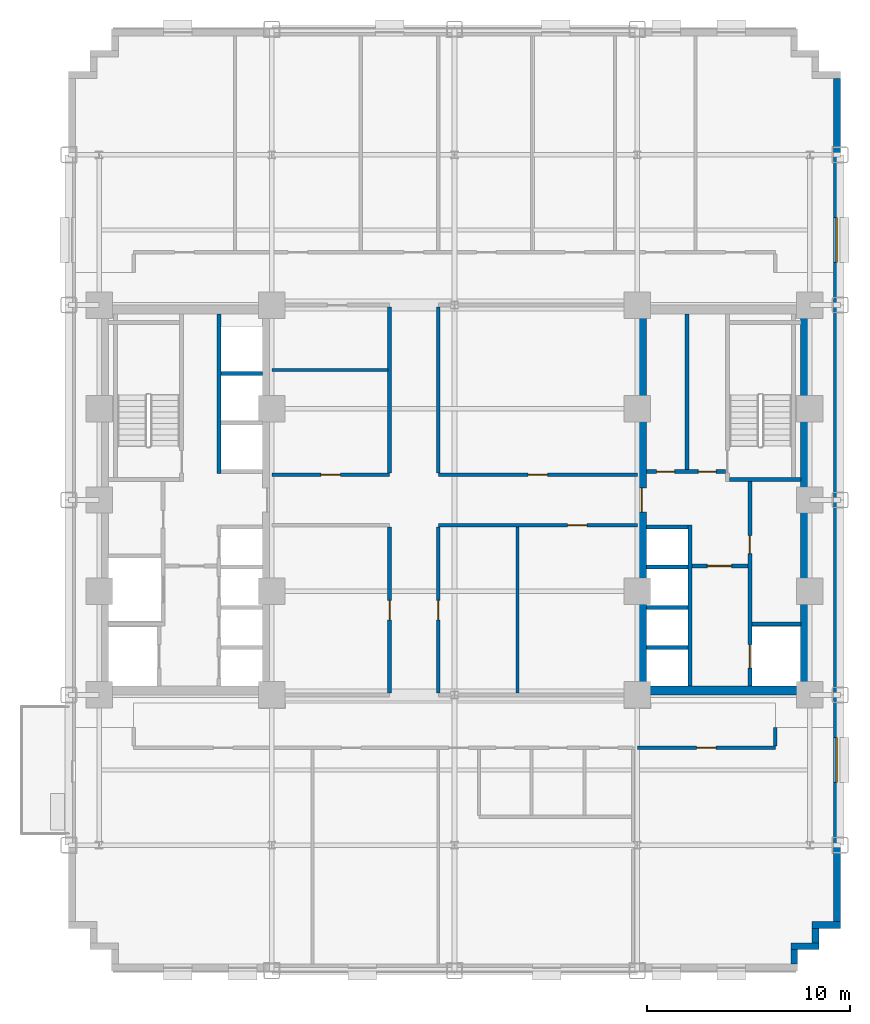
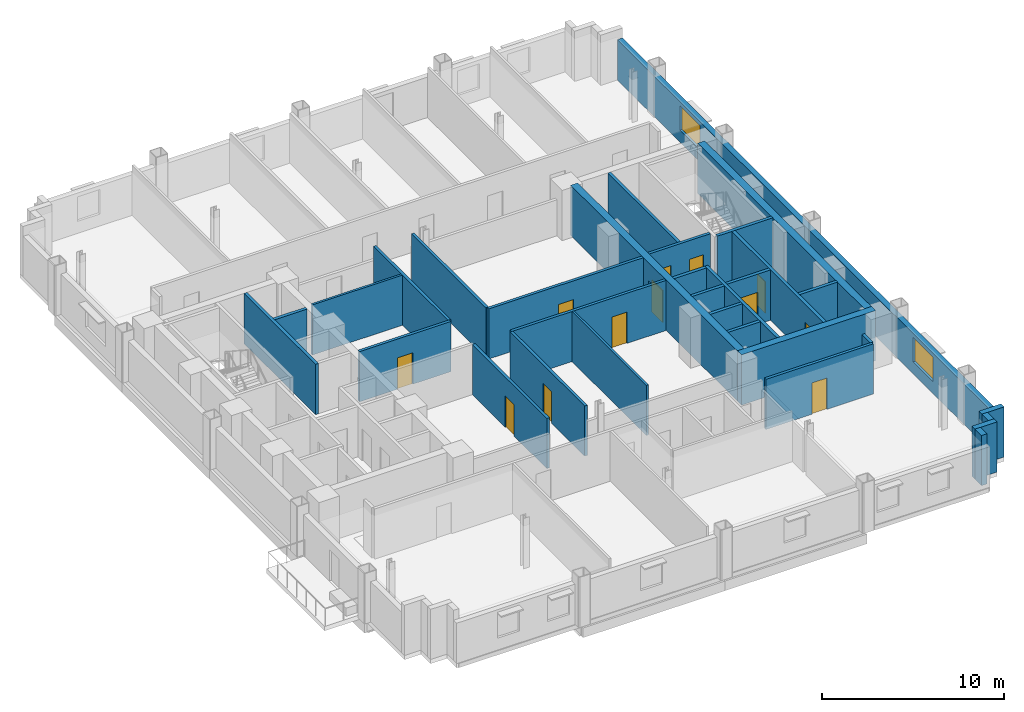
# One storey, part 6 of 12: 32 walls, 12 doors, 2 windows, 14 openings.
"""IFC4 building model written with IfcOpenShell, lengths in metres."""

from ifc_helpers import new_model, si_unit, direction, frame, frame_2d, origin, place, context, subcontext, project, spatial, rectangle, extrude, source, transform, mapped, material, layer, layer_set, type_object, type_shapes, element, fill, save


model = new_model("IFC4")

# Units and contexts
model_context = context("Model", 3, precision=1e-05, world=origin(), true_north=direction((0.0, 1.0)))
body_context = subcontext(model_context, "Body", "Model", "MODEL_VIEW")
ifc_project = project(units=[si_unit("LENGTHUNIT", "METRE"), si_unit("AREAUNIT", "SQUARE_METRE"), si_unit("VOLUMEUNIT", "CUBIC_METRE"), si_unit("PLANEANGLEUNIT", "RADIAN"), si_unit("MASSUNIT", "GRAM", prefix="KILO")], contexts=[model_context])

# Site, building, storey
site_placement = place(None, origin())
site = spatial("IfcSite", under=ifc_project, at=site_placement, CompositionType="ELEMENT")
building_placement = place(site_placement, origin())
building = spatial("IfcBuilding", under=site, at=building_placement, Name="Nuvemarco Arch Tower", CompositionType="ELEMENT")
storey_placement = place(building_placement, frame((0.0, 0.0, 31.25)))
storey = spatial("IfcBuildingStorey", under=building, at=storey_placement, Name="L07", CompositionType="ELEMENT", Elevation=31.25)

# Walls
ifc_material_1 = material(Name="Precast concrete C45/55", Category="concrete")
ifc_layer_1 = layer(ifc_material_1, 0.340087890625, Name="EW-LOW-340")
ifc_layer_set_1 = layer_set([ifc_layer_1], Name="Precast concrete C45/55")
wall_type_1 = type_object("IfcWallType", Name="EW-LOW-340", PredefinedType="STANDARD", material=ifc_layer_set_1)
wall_1_placement = place(storey_placement, frame((16.72998046875, -22.864013671875, 0.0), z_axis=(0.0, 0.0, 1.0), x_axis=(0.0, 1.0, 0.0)))
element("IfcWall", 1, at=wall_1_placement, inside=storey, type_object=wall_type_1, Name="L07 exterior precast facade wall 2", PredefinedType="STANDARD", context=body_context, shape_type="SweptSolid", body=[
    extrude(rectangle(XDim=0.718017578125, YDim=0.340087890625, at=frame_2d((0.35888671875, 0.0))), origin(), (0.0, 0.0, 1.0), 3.360107421875),
])
wall_2_placement = place(storey_placement, frame((16.56005859375, -21.97998046875, 0.0), z_axis=(0.0, 0.0, 1.0), x_axis=(1.0, 0.0, 0.0)))
element("IfcWall", 2, at=wall_2_placement, inside=storey, type_object=wall_type_1, Name="L07 exterior precast facade wall 3", PredefinedType="STANDARD", context=body_context, shape_type="SweptSolid", body=[
    extrude(rectangle(XDim=1.389892578125, YDim=0.340087890625, at=frame_2d((0.69482421875, 0.0))), origin(), (0.0, 0.0, 1.0), 3.360107421875),
])
wall_3_placement = place(storey_placement, frame((17.780029296875, -21.81396484375, 0.0), z_axis=(0.0, 0.0, 1.0), x_axis=(0.0, 1.0, 0.0)))
element("IfcWall", 3, at=wall_3_placement, inside=storey, type_object=wall_type_1, Name="L07 exterior precast facade wall 4", PredefinedType="STANDARD", context=body_context, shape_type="SweptSolid", body=[
    extrude(rectangle(XDim=0.718017578125, YDim=0.340087890625, at=frame_2d((0.35888671875, 0.0))), origin(), (0.0, 0.0, 1.0), 3.360107421875),
])
wall_4_placement = place(storey_placement, frame((17.610107421875, -20.929931640625, 0.0), z_axis=(0.0, 0.0, 1.0), x_axis=(1.0, 0.0, 0.0)))
element("IfcWall", 4, at=wall_4_placement, inside=storey, type_object=wall_type_1, Name="L07 exterior precast facade wall 5", PredefinedType="STANDARD", context=body_context, shape_type="SweptSolid", body=[
    extrude(rectangle(XDim=1.389892578125, YDim=0.340087890625, at=frame_2d((0.69482421875, 0.0))), origin(), (0.0, 0.0, 1.0), 3.360107421875),
])

# Wall, openings, windows
wall_5_placement = place(storey_placement, frame((18.830078125, -20.763916015625, 0.0), z_axis=(0.0, 0.0, 1.0), x_axis=(0.0, 1.0, 0.0)))
wall_5 = element("IfcWall", 5, at=wall_5_placement, inside=storey, type_object=wall_type_1, Name="L07 exterior precast facade wall 6", PredefinedType="STANDARD", context=body_context, shape_type="SweptSolid", body=[
    extrude(rectangle(XDim=41.52783203125, YDim=0.340087890625, at=frame_2d((20.763916015625, 0.0))), origin(), (0.0, 0.0, 1.0), 2.705078125),
])
opening_1_placement = place(wall_5_placement, frame((6.861572265625, 0.0, 0.800048828125)))
opening_1 = element("IfcOpeningElement", 6, at=opening_1_placement, cuts=wall_5, Name="Opening WN-3", PredefinedType="OPENING", context=body_context, shape_type="SweptSolid", body=[
    extrude(rectangle(XDim=2.199951171875, YDim=1.64990234375, at=frame_2d((1.10009765625, 0.824951171875))), frame((0.0, 0.179931640625, 0.0), z_axis=(0.0, -1.0, 0.0), x_axis=(1.0, 0.0, 0.0)), (0.0, 0.0, 1.0), 0.360107421875),
])
opening_2_placement = place(wall_5_placement, frame((32.466552734375, 0.0, 0.800048828125)))
opening_2 = element("IfcOpeningElement", 7, at=opening_2_placement, cuts=wall_5, Name="Opening WN-3", PredefinedType="OPENING", context=body_context, shape_type="SweptSolid", body=[
    extrude(rectangle(XDim=2.199951171875, YDim=1.64990234375, at=frame_2d((1.10009765625, 0.824951171875))), frame((0.0, 0.179931640625, 0.0), z_axis=(0.0, -1.0, 0.0), x_axis=(1.0, 0.0, 0.0)), (0.0, 0.0, 1.0), 0.360107421875),
])
ifc_material_2 = material(Name="Insulated solar-control glass", Category="glass")
window_type = type_object("IfcWindowType", Name="WN-LOW-2200x1650", PartitioningType="DOUBLE_PANEL_VERTICAL", PredefinedType="WINDOW", material=ifc_material_2)
shared_shape_1 = source(origin(), body_context, "Body", "SweptSolid", [
    extrude(rectangle(XDim=2.199951171875, YDim=1.64990234375, at=frame_2d((1.10009765625, 0.824951171875))), frame((0.0, 0.030029296875, 0.0), z_axis=(0.0, -1.0, 0.0), x_axis=(1.0, 0.0, 0.0)), (0.0, 0.0, 1.0), 0.06005859375),
])
type_shapes(window_type, [shared_shape_1])
window_1_placement = place(opening_1_placement, origin())
window_1 = element("IfcWindow", 8, at=window_1_placement, inside=storey, type_object=window_type, Name="L07 punched facade window 2", OverallHeight=1.64990234375, OverallWidth=2.199951171875, PartitioningType="SINGLE_PANEL", PredefinedType="WINDOW", context=body_context, shape_type="MappedRepresentation", body=[
    mapped(shared_shape_1, transform((0.0, 0.0, 0.0), scale=1.0)),
])
fill(opening_1, window_1)
window_2_placement = place(opening_2_placement, origin())
window_2 = element("IfcWindow", 9, at=window_2_placement, inside=storey, type_object=window_type, Name="L07 punched facade window 7", OverallHeight=1.64990234375, OverallWidth=2.199951171875, PartitioningType="SINGLE_PANEL", PredefinedType="WINDOW", context=body_context, shape_type="MappedRepresentation", body=[
    mapped(shared_shape_1, transform((0.0, 0.0, 0.0), scale=1.0)),
])
fill(opening_2, window_2)

# Wall
ifc_material_3 = material(Name="Concrete C60/75", Category="concrete")
ifc_layer_2 = layer(ifc_material_3, 0.449951171875, Name="WL-CORE-450")
ifc_layer_set_2 = layer_set([ifc_layer_2], Name="Concrete C60/75")
wall_type_2 = type_object("IfcWallType", Name="WL-CORE-450", PredefinedType="SHEAR", material=ifc_layer_set_2)
wall_6_placement = place(storey_placement, frame((9.0, -9.375, 0.0), z_axis=(0.0, 0.0, 1.0), x_axis=(1.0, 0.0, 0.0)))
element("IfcWall", 10, at=wall_6_placement, inside=storey, type_object=wall_type_2, Name="L07 E-core shear wall S", PredefinedType="SHEAR", context=body_context, shape_type="SweptSolid", body=[
    extrude(rectangle(XDim=8.5, YDim=0.449951171875, at=frame_2d((4.25, 0.0))), origin(), (0.0, 0.0, 1.0), 3.3701171875),
])

# Wall, opening, door
wall_7_placement = place(storey_placement, frame((9.22509765625, -9.155029296875, 0.0), z_axis=(0.0, 0.0, 1.0), x_axis=(0.0, 1.0, 0.0)))
wall_7 = element("IfcWall", 11, at=wall_7_placement, inside=storey, type_object=wall_type_2, Name="L07 E-core shear wall W", PredefinedType="SHEAR", context=body_context, shape_type="SweptSolid", body=[
    extrude(rectangle(XDim=18.31005859375, YDim=0.449951171875, at=frame_2d((9.155029296875, 0.0))), origin(), (0.0, 0.0, 1.0), 3.3701171875),
])
opening_3_placement = place(wall_7_placement, frame((8.554931640625, 0.0, 0.0)))
opening_3 = element("IfcOpeningElement", 12, at=opening_3_placement, cuts=wall_7, Name="Opening FD-2", PredefinedType="OPENING", context=body_context, shape_type="SweptSolid", body=[
    extrude(rectangle(XDim=1.199951171875, YDim=2.14990234375, at=frame_2d((0.60009765625, 1.074951171875))), frame((0.0, 0.23486328125, 0.0), z_axis=(0.0, -1.0, 0.0), x_axis=(1.0, 0.0, 0.0)), (0.0, 0.0, 1.0), 0.469970703125),
])
ifc_material_4 = material(Name="Anodised steel fire door", Category="steel")
door_type_1 = type_object("IfcDoorType", Name="DR-FFLOB-FD", OperationType="NOTDEFINED", PredefinedType="DOOR", material=ifc_material_4)
shared_shape_2 = source(origin(), body_context, "Body", "SweptSolid", [
    extrude(rectangle(XDim=1.199951171875, YDim=2.14990234375, at=frame_2d((0.60009765625, 1.074951171875))), frame((0.0, 0.02490234375, 0.0), z_axis=(0.0, -1.0, 0.0), x_axis=(1.0, 0.0, 0.0)), (0.0, 0.0, 1.0), 0.050048828125),
])
type_shapes(door_type_1, [shared_shape_2])
door_1_placement = place(opening_3_placement, origin())
door_1 = element("IfcDoor", 13, at=door_1_placement, inside=storey, type_object=door_type_1, Name="L07 door FD-L07-ECORE-W", OperationType="SINGLE_SWING_RIGHT", OverallHeight=2.14990234375, OverallWidth=1.199951171875, PredefinedType="DOOR", context=body_context, shape_type="MappedRepresentation", body=[
    mapped(shared_shape_2, transform((0.0, 0.0, 0.0), scale=1.0)),
])
fill(opening_3, door_1)

# Wall
wall_8_placement = place(storey_placement, frame((17.27490234375, -9.155029296875, 0.0), z_axis=(0.0, 0.0, 1.0), x_axis=(0.0, 1.0, 0.0)))
element("IfcWall", 14, at=wall_8_placement, inside=storey, type_object=wall_type_2, Name="L07 E-core shear wall E", PredefinedType="SHEAR", context=body_context, shape_type="SweptSolid", body=[
    extrude(rectangle(XDim=18.31005859375, YDim=0.449951171875, at=frame_2d((9.155029296875, 0.0))), origin(), (0.0, 0.0, 1.0), 3.3701171875),
])

# Wall, openings, doors
ifc_material_5 = material(Name="Fire-rated gypsum drywall partition")
ifc_layer_3 = layer(ifc_material_5, 0.179931640625, Name="WL-CORR-180")
ifc_layer_set_3 = layer_set([ifc_layer_3], Name="Fire-rated gypsum drywall partition")
wall_type_3 = type_object("IfcWallType", Name="WL-CORR-180", PredefinedType="PARTITIONING", material=ifc_layer_set_3)
wall_9_placement = place(storey_placement, frame((9.445068359375, 1.39990234375, 0.0), z_axis=(0.0, 0.0, 1.0), x_axis=(1.0, 0.0, 0.0)))
wall_9 = element("IfcWall", 15, at=wall_9_placement, inside=storey, type_object=wall_type_3, Name="L07 interior wall IW-L07-EK-S", PredefinedType="PARTITIONING", context=body_context, shape_type="SweptSolid", body=[
    extrude(rectangle(XDim=3.89990234375, YDim=0.179931640625, at=frame_2d((1.949951171875, 0.0))), origin(), (0.0, 0.0, 1.0), 3.360107421875),
])
opening_4_placement = place(wall_9_placement, frame((0.514892578125, 0.0, 0.0)))
opening_4 = element("IfcOpeningElement", 16, at=opening_4_placement, cuts=wall_9, Name="Opening FD-4", PredefinedType="OPENING", context=body_context, shape_type="SweptSolid", body=[
    extrude(rectangle(XDim=0.8798828125, YDim=2.10009765625, at=frame_2d((0.43994140625, 1.050048828125))), frame((0.0, 0.099853515625, 0.0), z_axis=(0.0, -1.0, 0.0), x_axis=(1.0, 0.0, 0.0)), (0.0, 0.0, 1.0), 0.199951171875),
])
opening_5_placement = place(wall_9_placement, frame((2.56494140625, 0.0, 0.0)))
opening_5 = element("IfcOpeningElement", 17, at=opening_5_placement, cuts=wall_9, Name="Opening FD-4", PredefinedType="OPENING", context=body_context, shape_type="SweptSolid", body=[
    extrude(rectangle(XDim=0.8798828125, YDim=2.10009765625, at=frame_2d((0.43994140625, 1.050048828125))), frame((0.0, 0.099853515625, 0.0), z_axis=(0.0, -1.0, 0.0), x_axis=(1.0, 0.0, 0.0)), (0.0, 0.0, 1.0), 0.199951171875),
])
door_type_2 = type_object("IfcDoorType", Name="DR-RISER-FD", OperationType="NOTDEFINED", PredefinedType="DOOR", material=ifc_material_4)
shared_shape_3 = source(origin(), body_context, "Body", "SweptSolid", [
    extrude(rectangle(XDim=0.8798828125, YDim=2.10009765625, at=frame_2d((0.43994140625, 1.050048828125))), frame((0.0, 0.02490234375, 0.0), z_axis=(0.0, -1.0, 0.0), x_axis=(1.0, 0.0, 0.0)), (0.0, 0.0, 1.0), 0.050048828125),
])
type_shapes(door_type_2, [shared_shape_3])
door_2_placement = place(opening_4_placement, origin())
door_2 = element("IfcDoor", 18, at=door_2_placement, inside=storey, type_object=door_type_2, Name="L07 door FD-L07-EK2A", OperationType="SINGLE_SWING_LEFT", OverallHeight=2.10009765625, OverallWidth=0.8798828125, PredefinedType="DOOR", context=body_context, shape_type="MappedRepresentation", body=[
    mapped(shared_shape_3, transform((0.0, 0.0, 0.0), scale=1.0)),
])
fill(opening_4, door_2)
door_3_placement = place(opening_5_placement, origin())
door_3 = element("IfcDoor", 19, at=door_3_placement, inside=storey, type_object=door_type_2, Name="L07 door FD-L07-EK2B", OperationType="SINGLE_SWING_RIGHT", OverallHeight=2.10009765625, OverallWidth=0.8798828125, PredefinedType="DOOR", context=body_context, shape_type="MappedRepresentation", body=[
    mapped(shared_shape_3, transform((0.0, 0.0, 0.0), scale=1.0)),
])
fill(opening_5, door_3)

# Wall
wall_10_placement = place(storey_placement, frame((11.449951171875, 1.489990234375, 0.0), z_axis=(0.0, 0.0, 1.0), x_axis=(0.0, 1.0, 0.0)))
element("IfcWall", 20, at=wall_10_placement, inside=storey, type_object=wall_type_3, Name="L07 interior wall IW-L07-EK2", PredefinedType="PARTITIONING", context=body_context, shape_type="SweptSolid", body=[
    extrude(rectangle(XDim=7.6650390625, YDim=0.179931640625, at=frame_2d((3.83251953125, 0.0))), origin(), (0.0, 0.0, 1.0), 3.360107421875),
])

# Wall, opening, door
wall_11_placement = place(storey_placement, frame((9.0, -12.199951171875, 0.0), z_axis=(0.0, 0.0, 1.0), x_axis=(1.0, 0.0, 0.0)))
wall_11 = element("IfcWall", 21, at=wall_11_placement, inside=storey, type_object=wall_type_3, Name="L07 interior wall IW-L07-003", PredefinedType="PARTITIONING", context=body_context, shape_type="SweptSolid", body=[
    extrude(rectangle(XDim=6.800048828125, YDim=0.179931640625, at=frame_2d((3.39990234375, 0.0))), origin(), (0.0, 0.0, 1.0), 3.360107421875),
])
opening_6_placement = place(wall_11_placement, frame((2.919921875, 0.0, 0.0)))
opening_6 = element("IfcOpeningElement", 22, at=opening_6_placement, cuts=wall_11, Name="Opening FD-5", PredefinedType="OPENING", context=body_context, shape_type="SweptSolid", body=[
    extrude(rectangle(XDim=0.9599609375, YDim=2.10009765625, at=frame_2d((0.47998046875, 1.050048828125))), frame((0.0, 0.099853515625, 0.0), z_axis=(0.0, -1.0, 0.0), x_axis=(1.0, 0.0, 0.0)), (0.0, 0.0, 1.0), 0.199951171875),
])
ifc_material_6 = material(Name="Timber fire door", Category="wood")
door_type_3 = type_object("IfcDoorType", Name="DR-CORR-FD", OperationType="NOTDEFINED", PredefinedType="DOOR", material=ifc_material_6)
shared_shape_4 = source(origin(), body_context, "Body", "SweptSolid", [
    extrude(rectangle(XDim=0.9599609375, YDim=2.10009765625, at=frame_2d((0.47998046875, 1.050048828125))), frame((0.0, 0.02490234375, 0.0), z_axis=(0.0, -1.0, 0.0), x_axis=(1.0, 0.0, 0.0)), (0.0, 0.0, 1.0), 0.050048828125),
])
type_shapes(door_type_3, [shared_shape_4])
door_4_placement = place(opening_6_placement, origin())
door_4 = element("IfcDoor", 23, at=door_4_placement, inside=storey, type_object=door_type_3, Name="L07 door DR-L07-S_4", OperationType="SINGLE_SWING_LEFT", OverallHeight=2.10009765625, OverallWidth=0.9599609375, PredefinedType="DOOR", context=body_context, shape_type="MappedRepresentation", body=[
    mapped(shared_shape_4, transform((0.0, 0.0, 0.0), scale=1.0)),
])
fill(opening_6, door_4)

wall_12_placement = place(storey_placement, frame((-0.800048828125, -1.25, 0.0), z_axis=(0.0, 0.0, 1.0), x_axis=(1.0, 0.0, 0.0)))
wall_12 = element("IfcWall", 24, at=wall_12_placement, inside=storey, type_object=wall_type_3, Name="L07 interior wall IW-L07-008", PredefinedType="PARTITIONING", context=body_context, shape_type="SweptSolid", body=[
    extrude(rectangle(XDim=9.800048828125, YDim=0.179931640625, at=frame_2d((4.89990234375, 0.0))), origin(), (0.0, 0.0, 1.0), 3.360107421875),
])
opening_7_placement = place(wall_12_placement, frame((6.3701171875, 0.0, 0.0)))
opening_7 = element("IfcOpeningElement", 25, at=opening_7_placement, cuts=wall_12, Name="Opening FD-5", PredefinedType="OPENING", context=body_context, shape_type="SweptSolid", body=[
    extrude(rectangle(XDim=0.9599609375, YDim=2.10009765625, at=frame_2d((0.47998046875, 1.050048828125))), frame((0.0, 0.099853515625, 0.0), z_axis=(0.0, -1.0, 0.0), x_axis=(1.0, 0.0, 0.0)), (0.0, 0.0, 1.0), 0.199951171875),
])
door_5_placement = place(opening_7_placement, origin())
door_5 = element("IfcDoor", 26, at=door_5_placement, inside=storey, type_object=door_type_3, Name="L07 door DR-L07-C_SE2", OperationType="SINGLE_SWING_LEFT", OverallHeight=2.10009765625, OverallWidth=0.9599609375, PredefinedType="DOOR", context=body_context, shape_type="MappedRepresentation", body=[
    mapped(shared_shape_4, transform((0.0, 0.0, 0.0), scale=1.0)),
])
fill(opening_7, door_5)

wall_13_placement = place(storey_placement, frame((-9.0, 1.25, 0.0), z_axis=(0.0, 0.0, 1.0), x_axis=(1.0, 0.0, 0.0)))
wall_13 = element("IfcWall", 27, at=wall_13_placement, inside=storey, type_object=wall_type_3, Name="L07 interior wall IW-L07-009", PredefinedType="PARTITIONING", context=body_context, shape_type="SweptSolid", body=[
    extrude(rectangle(XDim=5.800048828125, YDim=0.179931640625, at=frame_2d((2.89990234375, 0.0))), origin(), (0.0, 0.0, 1.0), 3.360107421875),
])
opening_8_placement = place(wall_13_placement, frame((2.419921875, 0.0, 0.0)))
opening_8 = element("IfcOpeningElement", 28, at=opening_8_placement, cuts=wall_13, Name="Opening FD-5", PredefinedType="OPENING", context=body_context, shape_type="SweptSolid", body=[
    extrude(rectangle(XDim=0.9599609375, YDim=2.10009765625, at=frame_2d((0.47998046875, 1.050048828125))), frame((0.0, 0.099853515625, 0.0), z_axis=(0.0, -1.0, 0.0), x_axis=(1.0, 0.0, 0.0)), (0.0, 0.0, 1.0), 0.199951171875),
])
door_6_placement = place(opening_8_placement, origin())
door_6 = element("IfcDoor", 29, at=door_6_placement, inside=storey, type_object=door_type_3, Name="L07 door DR-L07-C_NW1", OperationType="SINGLE_SWING_RIGHT", OverallHeight=2.10009765625, OverallWidth=0.9599609375, PredefinedType="DOOR", context=body_context, shape_type="MappedRepresentation", body=[
    mapped(shared_shape_4, transform((0.0, 0.0, 0.0), scale=1.0)),
])
fill(opening_8, door_6)

wall_14_placement = place(storey_placement, frame((-0.800048828125, 1.25, 0.0), z_axis=(0.0, 0.0, 1.0), x_axis=(1.0, 0.0, 0.0)))
wall_14 = element("IfcWall", 30, at=wall_14_placement, inside=storey, type_object=wall_type_3, Name="L07 interior wall IW-L07-010", PredefinedType="PARTITIONING", context=body_context, shape_type="SweptSolid", body=[
    extrude(rectangle(XDim=9.800048828125, YDim=0.179931640625, at=frame_2d((4.89990234375, 0.0))), origin(), (0.0, 0.0, 1.0), 3.360107421875),
])
opening_9_placement = place(wall_14_placement, frame((4.419921875, 0.0, 0.0)))
opening_9 = element("IfcOpeningElement", 31, at=opening_9_placement, cuts=wall_14, Name="Opening FD-5", PredefinedType="OPENING", context=body_context, shape_type="SweptSolid", body=[
    extrude(rectangle(XDim=0.9599609375, YDim=2.10009765625, at=frame_2d((0.47998046875, 1.050048828125))), frame((0.0, 0.099853515625, 0.0), z_axis=(0.0, -1.0, 0.0), x_axis=(1.0, 0.0, 0.0)), (0.0, 0.0, 1.0), 0.199951171875),
])
door_7_placement = place(opening_9_placement, origin())
door_7 = element("IfcDoor", 32, at=door_7_placement, inside=storey, type_object=door_type_3, Name="L07 door DR-L07-C_NE", OperationType="SINGLE_SWING_LEFT", OverallHeight=2.10009765625, OverallWidth=0.9599609375, PredefinedType="DOOR", context=body_context, shape_type="MappedRepresentation", body=[
    mapped(shared_shape_4, transform((0.0, 0.0, 0.0), scale=1.0)),
])
fill(opening_9, door_7)

wall_15_placement = place(storey_placement, frame((-3.199951171875, -9.513916015625, 0.0), z_axis=(0.0, 0.0, 1.0), x_axis=(0.0, 1.0, 0.0)))
wall_15 = element("IfcWall", 33, at=wall_15_placement, inside=storey, type_object=wall_type_3, Name="L07 interior wall IW-L07-021", PredefinedType="PARTITIONING", context=body_context, shape_type="SweptSolid", body=[
    extrude(rectangle(XDim=8.177978515625, YDim=0.179931640625, at=frame_2d((4.0888671875, 0.0))), origin(), (0.0, 0.0, 1.0), 3.360107421875),
])
opening_10_placement = place(wall_15_placement, frame((3.60888671875, 0.0, 0.0)))
opening_10 = element("IfcOpeningElement", 34, at=opening_10_placement, cuts=wall_15, Name="Opening FD-5", PredefinedType="OPENING", context=body_context, shape_type="SweptSolid", body=[
    extrude(rectangle(XDim=0.9599609375, YDim=2.10009765625, at=frame_2d((0.47998046875, 1.050048828125))), frame((0.0, 0.099853515625, 0.0), z_axis=(0.0, -1.0, 0.0), x_axis=(1.0, 0.0, 0.0)), (0.0, 0.0, 1.0), 0.199951171875),
])
door_8_placement = place(opening_10_placement, origin())
door_8 = element("IfcDoor", 35, at=door_8_placement, inside=storey, type_object=door_type_3, Name="L07 door DR-L07-C_SW", OperationType="SINGLE_SWING_LEFT", OverallHeight=2.10009765625, OverallWidth=0.9599609375, PredefinedType="DOOR", context=body_context, shape_type="MappedRepresentation", body=[
    mapped(shared_shape_4, transform((0.0, 0.0, 0.0), scale=1.0)),
])
fill(opening_10, door_8)

# Wall
wall_16_placement = place(storey_placement, frame((-3.199951171875, 1.3359375, 0.0), z_axis=(0.0, 0.0, 1.0), x_axis=(0.0, 1.0, 0.0)))
element("IfcWall", 36, at=wall_16_placement, inside=storey, type_object=wall_type_3, Name="L07 interior wall IW-L07-022", PredefinedType="PARTITIONING", context=body_context, shape_type="SweptSolid", body=[
    extrude(rectangle(XDim=8.177978515625, YDim=0.179931640625, at=frame_2d((4.0888671875, 0.0))), origin(), (0.0, 0.0, 1.0), 3.360107421875),
])

# Wall, opening, door
wall_17_placement = place(storey_placement, frame((-0.800048828125, -9.513916015625, 0.0), z_axis=(0.0, 0.0, 1.0), x_axis=(0.0, 1.0, 0.0)))
wall_17 = element("IfcWall", 37, at=wall_17_placement, inside=storey, type_object=wall_type_3, Name="L07 interior wall IW-L07-024", PredefinedType="PARTITIONING", context=body_context, shape_type="SweptSolid", body=[
    extrude(rectangle(XDim=8.177978515625, YDim=0.179931640625, at=frame_2d((4.0888671875, 0.0))), origin(), (0.0, 0.0, 1.0), 3.360107421875),
])
opening_11_placement = place(wall_17_placement, frame((3.60888671875, 0.0, 0.0)))
opening_11 = element("IfcOpeningElement", 38, at=opening_11_placement, cuts=wall_17, Name="Opening FD-5", PredefinedType="OPENING", context=body_context, shape_type="SweptSolid", body=[
    extrude(rectangle(XDim=0.9599609375, YDim=2.10009765625, at=frame_2d((0.47998046875, 1.050048828125))), frame((0.0, 0.099853515625, 0.0), z_axis=(0.0, -1.0, 0.0), x_axis=(1.0, 0.0, 0.0)), (0.0, 0.0, 1.0), 0.199951171875),
])
door_9_placement = place(opening_11_placement, origin())
door_9 = element("IfcDoor", 39, at=door_9_placement, inside=storey, type_object=door_type_3, Name="L07 door DR-L07-C_SE1", OperationType="SINGLE_SWING_RIGHT", OverallHeight=2.10009765625, OverallWidth=0.9599609375, PredefinedType="DOOR", context=body_context, shape_type="MappedRepresentation", body=[
    mapped(shared_shape_4, transform((0.0, 0.0, 0.0), scale=1.0)),
])
fill(opening_11, door_9)

# Walls
wall_18_placement = place(storey_placement, frame((-0.800048828125, 1.3359375, 0.0), z_axis=(0.0, 0.0, 1.0), x_axis=(0.0, 1.0, 0.0)))
element("IfcWall", 40, at=wall_18_placement, inside=storey, type_object=wall_type_3, Name="L07 interior wall IW-L07-025", PredefinedType="PARTITIONING", context=body_context, shape_type="SweptSolid", body=[
    extrude(rectangle(XDim=8.177978515625, YDim=0.179931640625, at=frame_2d((4.0888671875, 0.0))), origin(), (0.0, 0.0, 1.0), 3.360107421875),
])
wall_19_placement = place(storey_placement, frame((15.800048828125, -12.114013671875, 0.0), z_axis=(0.0, 0.0, 1.0), x_axis=(0.0, 1.0, 0.0)))
element("IfcWall", 41, at=wall_19_placement, inside=storey, type_object=wall_type_3, Name="L07 interior wall IW-L07-036", PredefinedType="PARTITIONING", context=body_context, shape_type="SweptSolid", body=[
    extrude(rectangle(XDim=0.9140625, YDim=0.179931640625, at=frame_2d((0.45703125, 0.0))), origin(), (0.0, 0.0, 1.0), 3.360107421875),
])
ifc_material_7 = material(Name="Gypsum plasterboard partition")
ifc_layer_4 = layer(ifc_material_7, 0.139892578125, Name="WL-ROOM-140")
ifc_layer_set_4 = layer_set([ifc_layer_4], Name="Gypsum plasterboard partition")
wall_type_4 = type_object("IfcWallType", Name="WL-ROOM-140", PredefinedType="PARTITIONING", material=ifc_layer_set_4)
wall_20_placement = place(storey_placement, frame((-9.0, 6.39990234375, 0.0), z_axis=(0.0, 0.0, 1.0), x_axis=(1.0, 0.0, 0.0)))
element("IfcWall", 42, at=wall_20_placement, inside=storey, type_object=wall_type_4, Name="L07 interior wall IW-L07-011", PredefinedType="PARTITIONING", context=body_context, shape_type="SweptSolid", body=[
    extrude(rectangle(XDim=5.714111328125, YDim=0.139892578125, at=frame_2d((2.85693359375, 0.0))), origin(), (0.0, 0.0, 1.0), 3.360107421875),
])
wall_21_placement = place(storey_placement, frame((3.10009765625, -9.513916015625, 0.0), z_axis=(0.0, 0.0, 1.0), x_axis=(0.0, 1.0, 0.0)))
element("IfcWall", 43, at=wall_21_placement, inside=storey, type_object=wall_type_4, Name="L07 interior wall IW-L07-028", PredefinedType="PARTITIONING", context=body_context, shape_type="SweptSolid", body=[
    extrude(rectangle(XDim=8.177978515625, YDim=0.139892578125, at=frame_2d((4.0888671875, 0.0))), origin(), (0.0, 0.0, 1.0), 3.360107421875),
])
ifc_material_8 = material(Name="Concrete C50/60", Category="concrete")
ifc_layer_5 = layer(ifc_material_8, 0.199951171875, Name="WL-SHAFT-220")
ifc_layer_set_5 = layer_set([ifc_layer_5], Name="Concrete C50/60")
wall_type_5 = type_object("IfcWallType", Name="WL-SHAFT-220", PredefinedType="SHEAR", material=ifc_layer_set_5)
wall_22_placement = place(storey_placement, frame((-11.60009765625, 1.300048828125, 0.0), z_axis=(0.0, 0.0, 1.0), x_axis=(0.0, 1.0, 0.0)))
element("IfcWall", 44, at=wall_22_placement, inside=storey, type_object=wall_type_5, Name="L07 structural shaft wall SW-L07-W-PHW", PredefinedType="SHEAR", context=body_context, shape_type="SweptSolid", body=[
    extrude(rectangle(XDim=7.85498046875, YDim=0.199951171875, at=frame_2d((3.927490234375, 0.0))), origin(), (0.0, 0.0, 1.0), 3.3701171875),
])
wall_23_placement = place(storey_placement, frame((-11.5048828125, 6.219970703125, 0.0), z_axis=(0.0, 0.0, 1.0), x_axis=(1.0, 0.0, 0.0)))
element("IfcWall", 45, at=wall_23_placement, inside=storey, type_object=wall_type_5, Name="L07 structural shaft wall SW-L07-W-PHD3", PredefinedType="SHEAR", context=body_context, shape_type="SweptSolid", body=[
    extrude(rectangle(XDim=2.059814453125, YDim=0.199951171875, at=frame_2d((1.02978515625, 0.0))), origin(), (0.0, 0.0, 1.0), 3.3701171875),
])
wall_24_placement = place(storey_placement, frame((13.534912109375, 1.0, 0.0), z_axis=(0.0, 0.0, 1.0), x_axis=(1.0, 0.0, 0.0)))
element("IfcWall", 46, at=wall_24_placement, inside=storey, type_object=wall_type_5, Name="L07 structural shaft wall SW-L07-E-ST2S", PredefinedType="SHEAR", context=body_context, shape_type="SweptSolid", body=[
    extrude(rectangle(XDim=3.52001953125, YDim=0.199951171875, at=frame_2d((1.760009765625, 0.0))), origin(), (0.0, 0.0, 1.0), 3.3701171875),
])

# Wall, openings, doors
wall_25_placement = place(storey_placement, frame((14.550048828125, -9.155029296875, 0.0), z_axis=(0.0, 0.0, 1.0), x_axis=(0.0, 1.0, 0.0)))
wall_25 = element("IfcWall", 47, at=wall_25_placement, inside=storey, type_object=wall_type_5, Name="L07 structural shaft wall SW-L07-E-SHW", PredefinedType="SHEAR", context=body_context, shape_type="SweptSolid", body=[
    extrude(rectangle(XDim=10.06005859375, YDim=0.199951171875, at=frame_2d((5.030029296875, 0.0))), origin(), (0.0, 0.0, 1.0), 3.3701171875),
])
opening_12_placement = place(wall_25_placement, frame((6.514892578125, 0.0, 0.0)))
opening_12 = element("IfcOpeningElement", 48, at=opening_12_placement, cuts=wall_25, Name="Opening FD-4", PredefinedType="OPENING", context=body_context, shape_type="SweptSolid", body=[
    extrude(rectangle(XDim=0.8798828125, YDim=2.10009765625, at=frame_2d((0.43994140625, 1.050048828125))), frame((0.0, 0.10986328125, 0.0), z_axis=(0.0, -1.0, 0.0), x_axis=(1.0, 0.0, 0.0)), (0.0, 0.0, 1.0), 0.219970703125),
])
opening_13_placement = place(wall_25_placement, frame((0.8798828125, 0.0, 0.0)))
opening_13 = element("IfcOpeningElement", 49, at=opening_13_placement, cuts=wall_25, Name="Opening LD-2", PredefinedType="OPENING", context=body_context, shape_type="SweptSolid", body=[
    extrude(rectangle(XDim=1.14990234375, YDim=2.14990234375, at=frame_2d((0.574951171875, 1.074951171875))), frame((0.0, 0.10986328125, 0.0), z_axis=(0.0, -1.0, 0.0), x_axis=(1.0, 0.0, 0.0)), (0.0, 0.0, 1.0), 0.219970703125),
])
door_10_placement = place(opening_12_placement, origin())
door_10 = element("IfcDoor", 50, at=door_10_placement, inside=storey, type_object=door_type_2, Name="L07 door FD-L07-ERIS", OperationType="SINGLE_SWING_RIGHT", OverallHeight=2.10009765625, OverallWidth=0.8798828125, PredefinedType="DOOR", context=body_context, shape_type="MappedRepresentation", body=[
    mapped(shared_shape_3, transform((0.0, 0.0, 0.0), scale=1.0)),
])
fill(opening_12, door_10)
ifc_material_9 = material(Name="Stainless steel lift door", Category="steel")
door_type_4 = type_object("IfcDoorType", Name="DR-LIFT-FIRE", OperationType="DOUBLE_DOOR_SLIDING", PredefinedType="DOOR", material=ifc_material_9)
shared_shape_5 = source(origin(), body_context, "Body", "SweptSolid", [
    extrude(rectangle(XDim=1.14990234375, YDim=2.14990234375, at=frame_2d((0.574951171875, 1.074951171875))), frame((0.0, 0.02490234375, 0.0), z_axis=(0.0, -1.0, 0.0), x_axis=(1.0, 0.0, 0.0)), (0.0, 0.0, 1.0), 0.050048828125),
])
type_shapes(door_type_4, [shared_shape_5])
door_11_placement = place(opening_13_placement, origin())
door_11 = element("IfcDoor", 51, at=door_11_placement, inside=storey, type_object=door_type_4, Name="L07 Lift landing sliding door FFL-2", OperationType="DOUBLE_DOOR_SLIDING", OverallHeight=2.14990234375, OverallWidth=1.14990234375, PredefinedType="DOOR", context=body_context, shape_type="MappedRepresentation", body=[
    mapped(shared_shape_5, transform((0.0, 0.0, 0.0), scale=1.0)),
])
fill(opening_13, door_11)

# Walls
wall_26_placement = place(storey_placement, frame((14.64501953125, -6.10009765625, 0.0), z_axis=(0.0, 0.0, 1.0), x_axis=(1.0, 0.0, 0.0)))
element("IfcWall", 52, at=wall_26_placement, inside=storey, type_object=wall_type_5, Name="L07 structural shaft wall SW-L07-E-SH1", PredefinedType="SHEAR", context=body_context, shape_type="SweptSolid", body=[
    extrude(rectangle(XDim=2.409912109375, YDim=0.199951171875, at=frame_2d((1.205078125, 0.0))), origin(), (0.0, 0.0, 1.0), 3.3701171875),
])
wall_27_placement = place(storey_placement, frame((11.60009765625, -9.155029296875, 0.0), z_axis=(0.0, 0.0, 1.0), x_axis=(0.0, 1.0, 0.0)))
element("IfcWall", 53, at=wall_27_placement, inside=storey, type_object=wall_type_5, Name="L07 structural shaft wall SW-L07-E-PME", PredefinedType="SHEAR", context=body_context, shape_type="SweptSolid", body=[
    extrude(rectangle(XDim=7.925048828125, YDim=0.199951171875, at=frame_2d((3.96240234375, 0.0))), origin(), (0.0, 0.0, 1.0), 3.3701171875),
])

# Wall, opening, door
wall_28_placement = place(storey_placement, frame((11.695068359375, -3.25, 0.0), z_axis=(0.0, 0.0, 1.0), x_axis=(1.0, 0.0, 0.0)))
wall_28 = element("IfcWall", 54, at=wall_28_placement, inside=storey, type_object=wall_type_5, Name="L07 structural shaft wall SW-L07-E-FFN", PredefinedType="SHEAR", context=body_context, shape_type="SweptSolid", body=[
    extrude(rectangle(XDim=2.760009765625, YDim=0.199951171875, at=frame_2d((1.3798828125, 0.0))), origin(), (0.0, 0.0, 1.0), 3.3701171875),
])
opening_14_placement = place(wall_28_placement, frame((0.7548828125, 0.0, 0.0)))
opening_14 = element("IfcOpeningElement", 55, at=opening_14_placement, cuts=wall_28, Name="Opening FD-2", PredefinedType="OPENING", context=body_context, shape_type="SweptSolid", body=[
    extrude(rectangle(XDim=1.199951171875, YDim=2.14990234375, at=frame_2d((0.60009765625, 1.074951171875))), frame((0.0, 0.10986328125, 0.0), z_axis=(0.0, -1.0, 0.0), x_axis=(1.0, 0.0, 0.0)), (0.0, 0.0, 1.0), 0.219970703125),
])
door_12_placement = place(opening_14_placement, origin())
door_12 = element("IfcDoor", 56, at=door_12_placement, inside=storey, type_object=door_type_1, Name="L07 door FD-L07-EFF2", OperationType="SINGLE_SWING_RIGHT", OverallHeight=2.14990234375, OverallWidth=1.199951171875, PredefinedType="DOOR", context=body_context, shape_type="MappedRepresentation", body=[
    mapped(shared_shape_2, transform((0.0, 0.0, 0.0), scale=1.0)),
])
fill(opening_14, door_12)

# Walls
for number, where, z_axis, x_axis, name in (
    (57, (9.445068359375, -7.27001953125, 0.0), (0.0, 0.0, 1.0), (1.0, 0.0, 0.0), "L07 structural shaft wall SW-L07-E-PMD1"),
    (58, (9.445068359375, -5.2900390625, 0.0), (0.0, 0.0, 1.0), (1.0, 0.0, 0.0), "L07 structural shaft wall SW-L07-E-PMD2"),
    (59, (9.445068359375, -3.31005859375, 0.0), (0.0, 0.0, 1.0), (1.0, 0.0, 0.0), "L07 structural shaft wall SW-L07-E-PMD3"),
    (60, (9.445068359375, -1.330078125, 0.0), (0.0, 0.0, 1.0), (1.0, 0.0, 0.0), "L07 structural shaft wall SW-L07-E-PMD4"),
):
    element("IfcWall", number, at=place(storey_placement, frame(where, z_axis=z_axis, x_axis=x_axis)), inside=storey, type_object=wall_type_5, Name=name, PredefinedType="SHEAR", context=body_context, shape_type="SweptSolid", body=[
        extrude(rectangle(XDim=2.059814453125, YDim=0.199951171875, at=frame_2d((1.02978515625, 0.0))), origin(), (0.0, 0.0, 1.0), 3.3701171875),
    ])

save(model, "model.ifc")
